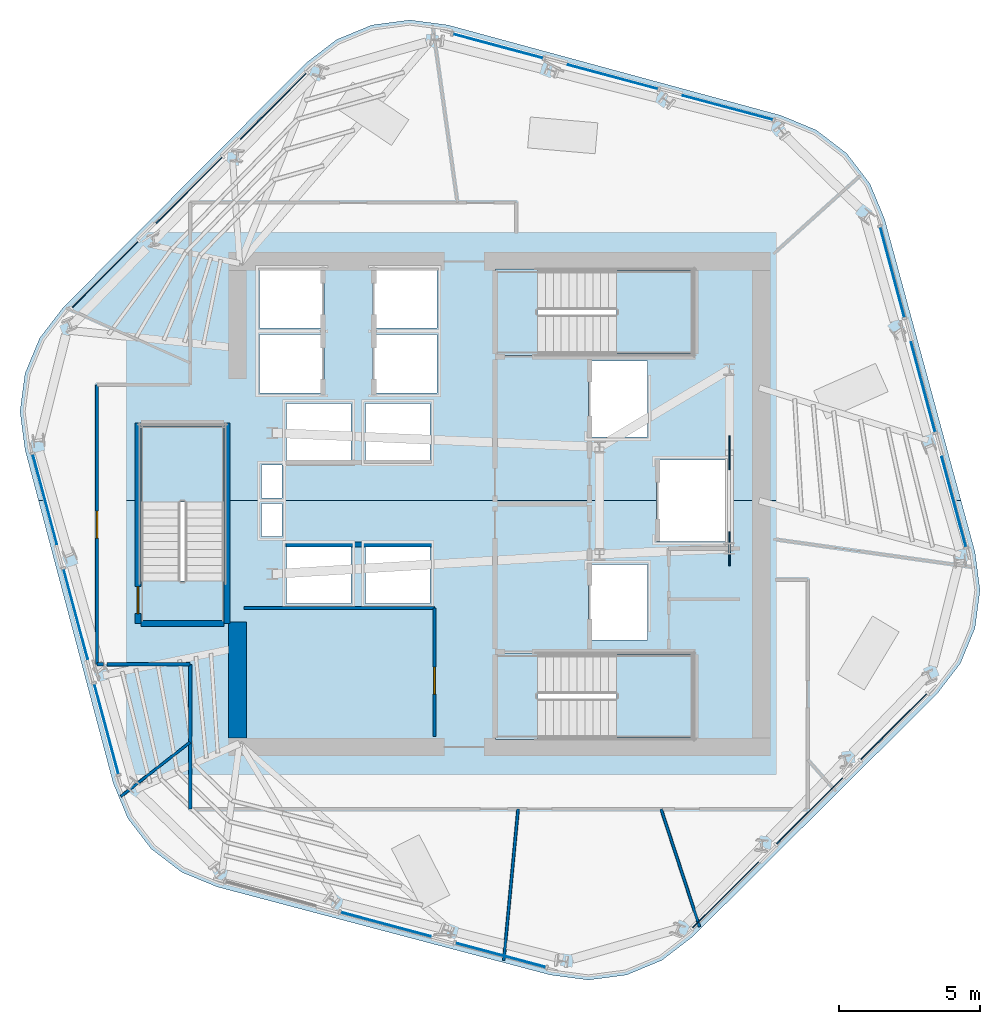
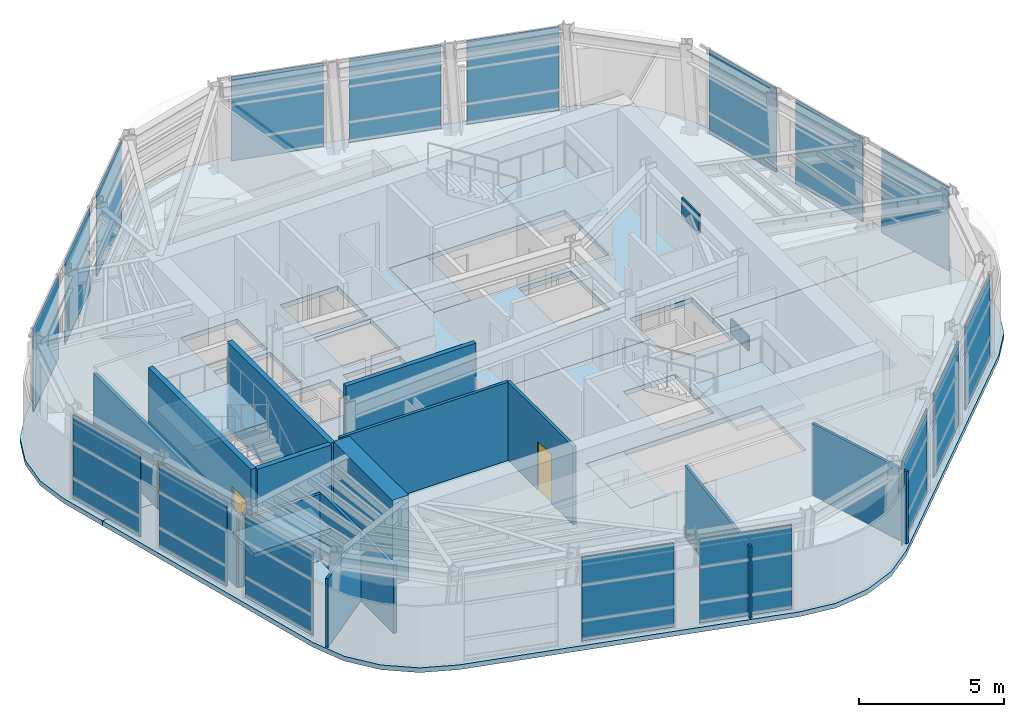
# One storey, part 6 of 13: 19 plates, 14 walls, 8 slabs, 3 doors, 3 openings, 9 elements without a shape of their own.
"""IFC4 building model written with IfcOpenShell, lengths in metres."""

from ifc_helpers import new_model, si_unit, direction, frame, frame_2d, origin, origin_2d, place, context, subcontext, project, spatial, polyline, rectangle, outline, extrude, material, layer, layer_set, type_object, element, fill, aggregate, save


model = new_model("IFC4")

# Units and contexts
model_context = context("Model", 3, precision=1e-05, world=origin(), true_north=direction((0.0, 1.0)))
body_context = subcontext(model_context, "Body", "Model", "MODEL_VIEW")
ifc_project = project(units=[si_unit("LENGTHUNIT", "METRE"), si_unit("AREAUNIT", "SQUARE_METRE"), si_unit("VOLUMEUNIT", "CUBIC_METRE"), si_unit("PLANEANGLEUNIT", "RADIAN"), si_unit("MASSUNIT", "GRAM", prefix="KILO")], contexts=[model_context])

# Site, building, storey
site_placement = place(None, origin())
site = spatial("IfcSite", under=ifc_project, at=site_placement, CompositionType="ELEMENT")
building_placement = place(site_placement, origin())
building = spatial("IfcBuilding", under=site, at=building_placement, Name="Valkerne Bourse Tower", CompositionType="ELEMENT")
storey_placement = place(building_placement, frame((0.0, 0.0, 217.0)))
storey = spatial("IfcBuildingStorey", under=building, at=storey_placement, Name="L55", CompositionType="ELEMENT", Elevation=217.0)

# Curtain wall, plates
ifc_material_1 = material(Name="Aluminium AA 6063-T6", Category="aluminium")
ifc_layer_1 = layer(ifc_material_1, 0.239990234375)
ifc_layer_set_1 = layer_set([ifc_layer_1], Name="Aluminium AA 6063-T6")
curtain_wall_type = type_object("IfcCurtainWallType", Name="CW-04", PredefinedType="NOTDEFINED", material=ifc_layer_set_1)
curtain_wall_1_placement = place(storey_placement, origin())
curtain_wall_1 = element("IfcCurtainWall", 1, at=curtain_wall_1_placement, inside=storey, type_object=curtain_wall_type, Name="L55 Hexagonal Stick Curtain Wall Face 1", PredefinedType="NOTDEFINED")
ifc_material_2 = material(Name="Glass IGU Low-E Double Glazed", Category="glass")
ifc_layer_2 = layer(ifc_material_2, 0.031982421875)
ifc_layer_set_2 = layer_set([ifc_layer_2], Name="Glass IGU Low-E Double Glazed")
plate_type_1 = type_object("IfcPlateType", Name="CW-PNL-IGU-32", PredefinedType="CURTAIN_PANEL", material=ifc_layer_set_2)
plate_1_placement = place(storey_placement, frame((54.89013671875, 40.919189453125, 0.030029296875), z_axis=(0.0, 0.0, 1.0), x_axis=(-0.965921344505, 0.25883577077, 0.0)))
plate_1 = element("IfcPlate", 2, at=plate_1_placement, type_object=plate_type_1, Name="CW-L55-F1 Curtain Panel 00", PredefinedType="CURTAIN_PANEL", context=body_context, shape_type="SweptSolid", body=[
    extrude(rectangle(XDim=3.2919921875, YDim=0.031982421875, at=origin_2d()), origin(), (0.0, 0.0, 1.0), 3.5400390625),
])
plate_2_placement = place(storey_placement, frame((50.82177734375, 42.00927734375, 0.030029296875), z_axis=(0.0, 0.0, 1.0), x_axis=(-0.965928870461, 0.258807683831, 0.0)))
plate_2 = element("IfcPlate", 3, at=plate_2_placement, type_object=plate_type_1, Name="CW-L55-F1 Curtain Panel 01", PredefinedType="CURTAIN_PANEL", context=body_context, shape_type="SweptSolid", body=[
    extrude(rectangle(XDim=3.2919921875, YDim=0.031982421875, at=origin_2d()), origin(), (0.0, 0.0, 1.0), 3.5400390625),
])
plate_3_placement = place(storey_placement, frame((46.753173828125, 43.099365234375, 0.030029296875), z_axis=(0.0, 0.0, 1.0), x_axis=(-0.96592293507, 0.258829835037, 0.0)))
plate_3 = element("IfcPlate", 4, at=plate_3_placement, type_object=plate_type_1, Name="CW-L55-F1 Curtain Panel 02", PredefinedType="CURTAIN_PANEL", context=body_context, shape_type="SweptSolid", body=[
    extrude(rectangle(XDim=3.2919921875, YDim=0.031982421875, at=origin_2d()), origin(), (0.0, 0.0, 1.0), 3.5400390625),
])
aggregate(curtain_wall_1, [plate_1, plate_2, plate_3])

curtain_wall_2_placement = place(storey_placement, origin())
curtain_wall_2 = element("IfcCurtainWall", 5, at=curtain_wall_2_placement, inside=storey, type_object=curtain_wall_type, Name="L55 Hexagonal Stick Curtain Wall Face 2", PredefinedType="NOTDEFINED")
plate_4_placement = place(storey_placement, frame((38.790771484375, 40.9658203125, 0.030029296875), z_axis=(0.0, 0.0, 1.0), x_axis=(-0.707118651865, -0.707094910308, 0.0)))
plate_4 = element("IfcPlate", 6, at=plate_4_placement, type_object=plate_type_1, Name="CW-L55-F2 Curtain Panel 00", PredefinedType="CURTAIN_PANEL", context=body_context, shape_type="SweptSolid", body=[
    extrude(rectangle(XDim=3.2919921875, YDim=0.031982421875, at=origin_2d()), origin(), (0.0, 0.0, 1.0), 3.5400390625),
])
plate_5_placement = place(storey_placement, frame((35.8125, 37.987548828125, 0.030029296875), z_axis=(0.0, 0.0, 1.0), x_axis=(-0.707106781187, -0.707106781187, 0.0)))
plate_5 = element("IfcPlate", 7, at=plate_5_placement, type_object=plate_type_1, Name="CW-L55-F2 Curtain Panel 01", PredefinedType="CURTAIN_PANEL", context=body_context, shape_type="SweptSolid", body=[
    extrude(rectangle(XDim=3.2919921875, YDim=0.031982421875, at=origin_2d()), origin(), (0.0, 0.0, 1.0), 3.5400390625),
])
plate_6_placement = place(storey_placement, frame((32.834228515625, 35.00927734375, 0.030029296875), z_axis=(0.0, 0.0, 1.0), x_axis=(-0.707094910308, -0.707118651865, 0.0)))
plate_6 = element("IfcPlate", 8, at=plate_6_placement, type_object=plate_type_1, Name="CW-L55-F2 Curtain Panel 02", PredefinedType="CURTAIN_PANEL", context=body_context, shape_type="SweptSolid", body=[
    extrude(rectangle(XDim=3.2919921875, YDim=0.031982421875, at=origin_2d()), origin(), (0.0, 0.0, 1.0), 3.5400390625),
])
aggregate(curtain_wall_2, [plate_4, plate_5, plate_6])

curtain_wall_3_placement = place(storey_placement, origin())
curtain_wall_3 = element("IfcCurtainWall", 9, at=curtain_wall_3_placement, inside=storey, type_object=curtain_wall_type, Name="L55 Hexagonal Stick Curtain Wall Face 3", PredefinedType="NOTDEFINED")
plate_7_placement = place(storey_placement, frame((30.70068359375, 27.046630859375, 0.030029296875), z_axis=(0.0, 0.0, 1.0), x_axis=(0.258829835037, -0.96592293507, 0.0)))
plate_7 = element("IfcPlate", 10, at=plate_7_placement, type_object=plate_type_1, Name="CW-L55-F3 Curtain Panel 00", PredefinedType="CURTAIN_PANEL", context=body_context, shape_type="SweptSolid", body=[
    extrude(rectangle(XDim=3.2919921875, YDim=0.031982421875, at=origin_2d()), origin(), (0.0, 0.0, 1.0), 3.5400390625),
])
plate_8_placement = place(storey_placement, frame((31.790771484375, 22.978271484375, 0.030029296875), z_axis=(0.0, 0.0, 1.0), x_axis=(0.258807683831, -0.965928870461, 0.0)))
plate_8 = element("IfcPlate", 11, at=plate_8_placement, type_object=plate_type_1, Name="CW-L55-F3 Curtain Panel 01", PredefinedType="CURTAIN_PANEL", context=body_context, shape_type="SweptSolid", body=[
    extrude(rectangle(XDim=3.2919921875, YDim=0.031982421875, at=origin_2d()), origin(), (0.0, 0.0, 1.0), 3.5400390625),
])
plate_9_placement = place(storey_placement, frame((32.880859375, 18.909912109375, 0.030029296875), z_axis=(0.0, 0.0, 1.0), x_axis=(0.25883577077, -0.965921344505, 0.0)))
plate_9 = element("IfcPlate", 12, at=plate_9_placement, type_object=plate_type_1, Name="CW-L55-F3 Curtain Panel 02", PredefinedType="CURTAIN_PANEL", context=body_context, shape_type="SweptSolid", body=[
    extrude(rectangle(XDim=3.2919921875, YDim=0.031982421875, at=origin_2d()), origin(), (0.0, 0.0, 1.0), 3.5400390625),
])
aggregate(curtain_wall_3, [plate_7, plate_8, plate_9])

curtain_wall_4_placement = place(storey_placement, origin())
curtain_wall_4 = element("IfcCurtainWall", 13, at=curtain_wall_4_placement, inside=storey, type_object=curtain_wall_type, Name="L55 Hexagonal Stick Curtain Wall Face 4", PredefinedType="NOTDEFINED")
plate_10_placement = place(storey_placement, frame((42.7783203125, 11.99072265625, 0.030029296875), z_axis=(0.0, 0.0, 1.0), x_axis=(0.965928870461, -0.258807683831, 0.0)))
plate_10 = element("IfcPlate", 14, at=plate_10_placement, type_object=plate_type_1, Name="CW-L55-F4 Curtain Panel 01", PredefinedType="CURTAIN_PANEL", context=body_context, shape_type="SweptSolid", body=[
    extrude(rectangle(XDim=3.2919921875, YDim=0.031982421875, at=origin_2d()), origin(), (0.0, 0.0, 1.0), 3.5400390625),
])
plate_11_placement = place(storey_placement, frame((46.8466796875, 10.900634765625, 0.030029296875), z_axis=(0.0, 0.0, 1.0), x_axis=(0.96592293507, -0.258829835037, 0.0)))
plate_11 = element("IfcPlate", 15, at=plate_11_placement, type_object=plate_type_1, Name="CW-L55-F4 Curtain Panel 02", PredefinedType="CURTAIN_PANEL", context=body_context, shape_type="SweptSolid", body=[
    extrude(rectangle(XDim=3.2919921875, YDim=0.031982421875, at=origin_2d()), origin(), (0.0, 0.0, 1.0), 3.5400390625),
])
aggregate(curtain_wall_4, [plate_10, plate_11])

curtain_wall_5_placement = place(storey_placement, origin())
curtain_wall_5 = element("IfcCurtainWall", 16, at=curtain_wall_5_placement, inside=storey, type_object=curtain_wall_type, Name="L55 Hexagonal Stick Curtain Wall Face 5", PredefinedType="NOTDEFINED")
plate_12_placement = place(storey_placement, frame((54.80908203125, 13.0341796875, 0.030029296875), z_axis=(0.0, 0.0, 1.0), x_axis=(0.707118651865, 0.707094910308, 0.0)))
plate_12 = element("IfcPlate", 17, at=plate_12_placement, type_object=plate_type_1, Name="CW-L55-F5 Curtain Panel 00", PredefinedType="CURTAIN_PANEL", context=body_context, shape_type="SweptSolid", body=[
    extrude(rectangle(XDim=3.2919921875, YDim=0.031982421875, at=origin_2d()), origin(), (0.0, 0.0, 1.0), 3.5400390625),
])
plate_13_placement = place(storey_placement, frame((57.78759765625, 16.012451171875, 0.030029296875), z_axis=(0.0, 0.0, 1.0), x_axis=(0.707106781187, 0.707106781187, 0.0)))
plate_13 = element("IfcPlate", 18, at=plate_13_placement, type_object=plate_type_1, Name="CW-L55-F5 Curtain Panel 01", PredefinedType="CURTAIN_PANEL", context=body_context, shape_type="SweptSolid", body=[
    extrude(rectangle(XDim=3.2919921875, YDim=0.031982421875, at=origin_2d()), origin(), (0.0, 0.0, 1.0), 3.5400390625),
])
plate_14_placement = place(storey_placement, frame((60.765869140625, 18.99072265625, 0.030029296875), z_axis=(0.0, 0.0, 1.0), x_axis=(0.707094910308, 0.707118651865, 0.0)))
plate_14 = element("IfcPlate", 19, at=plate_14_placement, type_object=plate_type_1, Name="CW-L55-F5 Curtain Panel 02", PredefinedType="CURTAIN_PANEL", context=body_context, shape_type="SweptSolid", body=[
    extrude(rectangle(XDim=3.2919921875, YDim=0.031982421875, at=origin_2d()), origin(), (0.0, 0.0, 1.0), 3.5400390625),
])
aggregate(curtain_wall_5, [plate_12, plate_13, plate_14])

curtain_wall_6_placement = place(storey_placement, origin())
curtain_wall_6 = element("IfcCurtainWall", 20, at=curtain_wall_6_placement, inside=storey, type_object=curtain_wall_type, Name="L55 Hexagonal Stick Curtain Wall Face 6", PredefinedType="NOTDEFINED")
plate_15_placement = place(storey_placement, frame((62.8994140625, 26.953369140625, 0.030029296875), z_axis=(0.0, 0.0, 1.0), x_axis=(-0.258829835037, 0.96592293507, 0.0)))
plate_15 = element("IfcPlate", 21, at=plate_15_placement, type_object=plate_type_1, Name="CW-L55-F6 Curtain Panel 00", PredefinedType="CURTAIN_PANEL", context=body_context, shape_type="SweptSolid", body=[
    extrude(rectangle(XDim=3.2919921875, YDim=0.031982421875, at=origin_2d()), origin(), (0.0, 0.0, 1.0), 3.5400390625),
])
plate_16_placement = place(storey_placement, frame((61.809326171875, 31.021728515625, 0.030029296875), z_axis=(0.0, 0.0, 1.0), x_axis=(-0.258807683831, 0.965928870461, 0.0)))
plate_16 = element("IfcPlate", 22, at=plate_16_placement, type_object=plate_type_1, Name="CW-L55-F6 Curtain Panel 01", PredefinedType="CURTAIN_PANEL", context=body_context, shape_type="SweptSolid", body=[
    extrude(rectangle(XDim=3.2919921875, YDim=0.031982421875, at=origin_2d()), origin(), (0.0, 0.0, 1.0), 3.5400390625),
])
plate_17_placement = place(storey_placement, frame((60.718994140625, 35.090087890625, 0.030029296875), z_axis=(0.0, 0.0, 1.0), x_axis=(-0.25883577077, 0.965921344505, 0.0)))
plate_17 = element("IfcPlate", 23, at=plate_17_placement, type_object=plate_type_1, Name="CW-L55-F6 Curtain Panel 02", PredefinedType="CURTAIN_PANEL", context=body_context, shape_type="SweptSolid", body=[
    extrude(rectangle(XDim=3.2919921875, YDim=0.031982421875, at=origin_2d()), origin(), (0.0, 0.0, 1.0), 3.5400390625),
])
aggregate(curtain_wall_6, [plate_15, plate_16, plate_17])

# Plates
ifc_material_3 = material(Name="Steel ASTM A572 Grade 50", Category="steel")
ifc_layer_3 = layer(ifc_material_3, 0.06005859375)
ifc_layer_set_3 = layer_set([ifc_layer_3], Name="Steel ASTM A572 Grade 50")
plate_type_2 = type_object("IfcPlateType", Name="PLT-GUS-60", PredefinedType="SHEET", material=ifc_layer_set_3)
for number, where, z_axis, x_axis, name in (
    (24, (54.949951171875, 25.300048828125, -0.18017578125), (0.0, 0.0, 1.0), (0.0, 1.0, 0.0), "L55 Brace Node Gusset Plate PLT-GUS-END-L55-426"),
    (25, (54.949951171875, 28.699951171875, 2.89404296875), (0.0, 0.0, 1.0), (0.0, 1.0, 0.0), "L55 Brace Node Gusset Plate PLT-GUS-END-L55-427"),
):
    element("IfcPlate", number, at=place(storey_placement, frame(where, z_axis=z_axis, x_axis=x_axis)), inside=storey, type_object=plate_type_2, Name=name, PredefinedType="SHEET", context=body_context, shape_type="SweptSolid", body=[
        extrude(rectangle(XDim=1.199951171875, YDim=0.06005859375, at=origin_2d()), origin(), (0.0, 0.0, 1.0), 0.800048828125),
    ])

# Slabs
ifc_material_4 = material(Name="Concrete C40/50", Category="concrete")
ifc_layer_4 = layer(ifc_material_4, 0.25)
ifc_layer_set_4 = layer_set([ifc_layer_4], Name="Concrete C40/50")
slab_type_1 = type_object("IfcSlabType", Name="SLB-RMP-LND-250", PredefinedType="LANDING", material=ifc_layer_set_4)
slab_1_placement = place(storey_placement, frame((0.0, 0.0, -0.199951171875)))
element("IfcSlab", 26, at=slab_1_placement, inside=storey, type_object=slab_type_1, Name="L55 ST-1 Floor Landing Slab", PredefinedType="LANDING", context=body_context, shape_type="SweptSolid", body=[
    extrude(outline(polyline([(46.669921875, 18.5400390625), (48.14990234375, 18.5400390625), (48.14990234375, 21.610107421875), (46.669921875, 21.610107421875), (46.669921875, 18.5400390625)])), origin(), (0.0, 0.0, 1.0), 0.199951171875),
])
slab_2_placement = place(storey_placement, frame((0.0, 0.0, -0.199951171875)))
element("IfcSlab", 27, at=slab_2_placement, inside=storey, type_object=slab_type_1, Name="L55 ST-2 Floor Landing Slab", PredefinedType="LANDING", context=body_context, shape_type="SweptSolid", body=[
    extrude(outline(polyline([(46.669921875, 32.139892578125), (48.14990234375, 32.139892578125), (48.14990234375, 35.2099609375), (46.669921875, 35.2099609375), (46.669921875, 32.139892578125)])), origin(), (0.0, 0.0, 1.0), 0.199951171875),
])
slab_3_placement = place(storey_placement, frame((0.0, 0.0, -0.199951171875)))
element("IfcSlab", 28, at=slab_3_placement, inside=storey, type_object=slab_type_1, Name="L55 ST-3 Floor Landing Slab", PredefinedType="LANDING", context=body_context, shape_type="SweptSolid", body=[
    extrude(outline(polyline([(37.110107421875, 22.669921875), (37.110107421875, 24.14990234375), (34.0400390625, 24.14990234375), (34.0400390625, 22.669921875), (37.110107421875, 22.669921875)])), origin(), (0.0, 0.0, 1.0), 0.199951171875),
])

# Stair, slab
stair_type = type_object("IfcStairType", Name="ST-CORE-1400", PredefinedType="HALF_TURN_STAIR", material=ifc_material_4)
stair_1_placement = place(storey_placement, origin())
stair_1 = element("IfcStair", 29, at=stair_1_placement, inside=storey, type_object=stair_type, Name="L55 ST-1", PredefinedType="HALF_TURN_STAIR")
ifc_layer_5 = layer(ifc_material_4, 0.179931640625)
ifc_layer_set_5 = layer_set([ifc_layer_5], Name="Concrete C40/50")
slab_type_2 = type_object("IfcSlabType", Name="SLB-ST-LND-180", PredefinedType="LANDING", material=ifc_layer_set_5)
slab_4_placement = place(storey_placement, frame((0.0, 0.0, 1.699951171875)))
slab_4 = element("IfcSlab", 30, at=slab_4_placement, type_object=slab_type_2, Name="ST-1 landing 1", PredefinedType="LANDING", context=body_context, shape_type="SweptSolid", body=[
    extrude(outline(polyline([(50.949951171875, 18.60009765625), (53.64990234375, 18.60009765625), (53.64990234375, 21.550048828125), (50.949951171875, 21.550048828125), (50.949951171875, 18.60009765625)])), origin(), (0.0, 0.0, 1.0), 0.199951171875),
])
aggregate(stair_1, [slab_4])

stair_2_placement = place(storey_placement, origin())
stair_2 = element("IfcStair", 31, at=stair_2_placement, inside=storey, type_object=stair_type, Name="L55 ST-2", PredefinedType="HALF_TURN_STAIR")
slab_5_placement = place(storey_placement, frame((0.0, 0.0, 1.699951171875)))
slab_5 = element("IfcSlab", 32, at=slab_5_placement, type_object=slab_type_2, Name="ST-2 landing 1", PredefinedType="LANDING", context=body_context, shape_type="SweptSolid", body=[
    extrude(outline(polyline([(50.949951171875, 32.199951171875), (53.64990234375, 32.199951171875), (53.64990234375, 35.14990234375), (50.949951171875, 35.14990234375), (50.949951171875, 32.199951171875)])), origin(), (0.0, 0.0, 1.0), 0.199951171875),
])
aggregate(stair_2, [slab_5])

stair_3_placement = place(storey_placement, origin())
stair_3 = element("IfcStair", 33, at=stair_3_placement, inside=storey, type_object=stair_type, Name="L55 ST-3", PredefinedType="HALF_TURN_STAIR")
slab_6_placement = place(storey_placement, frame((0.0, 0.0, 1.699951171875)))
slab_6 = element("IfcSlab", 34, at=slab_6_placement, type_object=slab_type_2, Name="ST-3 landing 1", PredefinedType="LANDING", context=body_context, shape_type="SweptSolid", body=[
    extrude(outline(polyline([(37.050048828125, 26.949951171875), (37.050048828125, 29.64990234375), (34.10009765625, 29.64990234375), (34.10009765625, 26.949951171875), (37.050048828125, 26.949951171875)])), origin(), (0.0, 0.0, 1.0), 0.199951171875),
])
aggregate(stair_3, [slab_6])

# Slabs
ifc_layer_6 = layer(ifc_material_4, 0.199951171875)
ifc_layer_set_6 = layer_set([ifc_layer_6], Name="Concrete C40/50")
slab_type_3 = type_object("IfcSlabType", Name="SLB-TOW-200", PredefinedType="FLOOR", material=ifc_layer_set_6)
slab_7_placement = place(storey_placement, frame((0.0, 0.0, -0.199951171875)))
element("IfcSlab", 35, at=slab_7_placement, inside=storey, type_object=slab_type_3, Name="L55 Hexagonal Composite Floor Slab S", PredefinedType="FLOOR", context=body_context, shape_type="SweptSolid", body=[
    extrude(outline(polyline([(63.8251953125, 23.83154296875), (63.64794921875, 22.485595703125), (63.12841796875, 21.2314453125), (62.302001953125, 20.154541015625), (53.63330078125, 11.54296875), (52.556396484375, 10.716796875), (51.30224609375, 10.197265625), (49.956298828125, 10.02001953125), (48.610595703125, 10.197265625), (36.797607421875, 13.320556640625), (35.54345703125, 13.840087890625), (34.466552734375, 14.66650390625), (33.64013671875, 15.743408203125), (33.12060546875, 16.99755859375), (30.475830078125, 27.0), (34.034912109375, 27.0), (34.034912109375, 22.6650390625), (37.114990234375, 22.6650390625), (37.114990234375, 27.0), (52.360107421875, 27.0), (52.360107421875, 25.56005859375), (54.840087890625, 25.56005859375), (54.840087890625, 27.0), (63.153076171875, 27.0), (63.64794921875, 25.17724609375), (63.8251953125, 23.83154296875)]), holes=[polyline([(41.5400390625, 25.43994140625), (39.260009765625, 25.43994140625), (39.260009765625, 23.360107421875), (41.5400390625, 23.360107421875), (41.5400390625, 25.43994140625)]), polyline([(44.340087890625, 25.43994140625), (42.06005859375, 25.43994140625), (42.06005859375, 23.360107421875), (44.340087890625, 23.360107421875), (44.340087890625, 25.43994140625)]), polyline([(39.10009765625, 26.89990234375), (38.3798828125, 26.89990234375), (38.3798828125, 25.72998046875), (39.10009765625, 25.72998046875), (39.10009765625, 26.89990234375)]), polyline([(53.675048828125, 21.614990234375), (46.6650390625, 21.614990234375), (46.6650390625, 18.534912109375), (53.675048828125, 18.534912109375), (53.675048828125, 21.614990234375)]), polyline([(52.0400390625, 24.739990234375), (49.9599609375, 24.739990234375), (49.9599609375, 22.06005859375), (52.0400390625, 22.06005859375), (52.0400390625, 24.739990234375)])]), origin(), (0.0, 0.0, 1.0), 0.199951171875),
])
slab_8_placement = place(storey_placement, frame((0.0, 0.0, -0.199951171875)))
element("IfcSlab", 36, at=slab_8_placement, inside=storey, type_object=slab_type_3, Name="L55 Hexagonal Composite Floor Slab N", PredefinedType="FLOOR", context=body_context, shape_type="SweptSolid", body=[
    extrude(outline(polyline([(29.997314453125, 28.810546875), (29.820068359375, 30.156494140625), (29.997314453125, 31.502197265625), (30.5166015625, 32.75634765625), (31.343017578125, 33.83349609375), (39.95458984375, 42.502197265625), (41.031494140625, 43.328369140625), (42.28564453125, 43.847900390625), (43.631591796875, 44.025146484375), (44.977294921875, 43.847900390625), (56.769287109375, 40.646484375), (58.023681640625, 40.126953125), (59.1005859375, 39.300537109375), (59.927001953125, 38.2236328125), (60.4462890625, 36.969482421875), (63.153076171875, 27.0), (54.840087890625, 27.0), (54.840087890625, 28.43994140625), (52.360107421875, 28.43994140625), (52.360107421875, 27.0), (37.114990234375, 27.0), (37.114990234375, 29.675048828125), (34.034912109375, 29.675048828125), (34.034912109375, 27.0), (30.475830078125, 27.0), (29.997314453125, 28.810546875)]), holes=[polyline([(39.10009765625, 28.27001953125), (38.3798828125, 28.27001953125), (38.3798828125, 27.10009765625), (39.10009765625, 27.10009765625), (39.10009765625, 28.27001953125)]), polyline([(41.5400390625, 30.43994140625), (39.260009765625, 30.43994140625), (39.260009765625, 28.360107421875), (41.5400390625, 28.360107421875), (41.5400390625, 30.43994140625)]), polyline([(40.590087890625, 32.889892578125), (38.31005859375, 32.889892578125), (38.31005859375, 30.81005859375), (40.590087890625, 30.81005859375), (40.590087890625, 32.889892578125)]), polyline([(40.590087890625, 35.18994140625), (38.31005859375, 35.18994140625), (38.31005859375, 33.110107421875), (40.590087890625, 33.110107421875), (40.590087890625, 35.18994140625)]), polyline([(44.340087890625, 30.43994140625), (42.06005859375, 30.43994140625), (42.06005859375, 28.360107421875), (44.340087890625, 28.360107421875), (44.340087890625, 30.43994140625)]), polyline([(52.0400390625, 31.93994140625), (49.9599609375, 31.93994140625), (49.9599609375, 29.260009765625), (52.0400390625, 29.260009765625), (52.0400390625, 31.93994140625)]), polyline([(44.590087890625, 32.889892578125), (42.31005859375, 32.889892578125), (42.31005859375, 30.81005859375), (44.590087890625, 30.81005859375), (44.590087890625, 32.889892578125)]), polyline([(53.675048828125, 35.215087890625), (46.6650390625, 35.215087890625), (46.6650390625, 32.135009765625), (53.675048828125, 32.135009765625), (53.675048828125, 35.215087890625)]), polyline([(44.590087890625, 35.18994140625), (42.31005859375, 35.18994140625), (42.31005859375, 33.110107421875), (44.590087890625, 33.110107421875), (44.590087890625, 35.18994140625)])]), origin(), (0.0, 0.0, 1.0), 0.199951171875),
])

# Wall
ifc_material_5 = material(Name="Concrete C55/67", Category="concrete")
ifc_layer_7 = layer(ifc_material_5, 0.64990234375)
ifc_layer_set_7 = layer_set([ifc_layer_7], Name="Concrete C55/67")
wall_type_1 = type_object("IfcWallType", Name="W-CORE-650", PredefinedType="SHEAR", material=ifc_layer_set_7)
wall_1_placement = place(storey_placement, frame((37.52490234375, 18.60009765625, 0.0), z_axis=(0.0, 0.0, 1.0), x_axis=(0.0, 1.0, 0.0)))
element("IfcWall", 37, at=wall_1_placement, inside=storey, type_object=wall_type_1, Name="L55 Core Shear Wall WEST-S", PredefinedType="SHEAR", context=body_context, shape_type="SweptSolid", body=[
    extrude(rectangle(XDim=4.099853515625, YDim=0.64990234375, at=frame_2d((2.0498046875, 0.0))), origin(), (0.0, 0.0, 1.0), 3.60009765625),
])

# Wall, opening, door
ifc_material_6 = material(Name="Gypsum Board Steel-Stud Partition", Category="steel")
ifc_layer_8 = layer(ifc_material_6, 0.117919921875)
ifc_layer_set_8 = layer_set([ifc_layer_8], Name="Gypsum Board Steel-Stud Partition")
wall_type_2 = type_object("IfcWallType", Name="W-CORR-140", PredefinedType="PARTITIONING", material=ifc_layer_set_8)
wall_2_placement = place(storey_placement, frame((44.5, 18.64990234375, 0.0), z_axis=(0.0, 0.0, 1.0), x_axis=(0.0, 1.0, 0.0)))
wall_2 = element("IfcWall", 38, at=wall_2_placement, inside=storey, type_object=wall_type_2, Name="L55 LV7 Low-Bank East Wall", PredefinedType="PARTITIONING", context=body_context, shape_type="SweptSolid", body=[
    extrude(rectangle(XDim=4.550048828125, YDim=0.117919921875, at=frame_2d((2.27490234375, 0.0))), origin(), (0.0, 0.0, 1.0), 3.300048828125),
])
opening_1_placement = place(wall_2_placement, frame((1.5, 0.0, 0.0)))
opening_1 = element("IfcOpeningElement", 39, at=opening_1_placement, cuts=wall_2, Name="Opening D-SV-950", PredefinedType="OPENING", context=body_context, shape_type="SweptSolid", body=[
    extrude(rectangle(XDim=0.949951171875, YDim=2.050048828125, at=frame_2d((0.47509765625, 1.02490234375))), frame((0.0, 0.06884765625, 0.0), z_axis=(0.0, -1.0, 0.0), x_axis=(1.0, 0.0, 0.0)), (0.0, 0.0, 1.0), 0.137939453125),
])
ifc_material_7 = material(Name="Galvanised Painted Steel", Category="steel")
door_type_1 = type_object("IfcDoorType", Name="DR-SRV-950", OperationType="NOTDEFINED", PredefinedType="DOOR", material=ifc_material_7)
door_1_placement = place(opening_1_placement, origin())
door_1 = element("IfcDoor", 40, at=door_1_placement, inside=storey, type_object=door_type_1, Name="L55 Algorithmic Matching Office Door", OperationType="SINGLE_SWING_RIGHT", OverallHeight=2.050048828125, OverallWidth=0.949951171875, PredefinedType="DOOR", context=body_context, shape_type="SweptSolid", body=[
    extrude(rectangle(XDim=0.949951171875, YDim=2.050048828125, at=frame_2d((0.47509765625, 1.02490234375))), frame((0.0, 0.02490234375, 0.0), z_axis=(0.0, -1.0, 0.0), x_axis=(1.0, 0.0, 0.0)), (0.0, 0.0, 1.0), 0.050048828125),
])
fill(opening_1, door_1)

# Walls
wall_3_placement = place(storey_placement, frame((37.75, 23.199951171875, 0.0), z_axis=(0.0, 0.0, 1.0), x_axis=(1.0, 0.0, 0.0)))
element("IfcWall", 41, at=wall_3_placement, inside=storey, type_object=wall_type_2, Name="L55 LV7 Low-Bank North Wall", PredefinedType="PARTITIONING", context=body_context, shape_type="SweptSolid", body=[
    extrude(rectangle(XDim=6.75, YDim=0.117919921875, at=frame_2d((3.375, 0.0))), origin(), (0.0, 0.0, 1.0), 3.300048828125),
])
wall_4_placement = place(storey_placement, frame((35.85009765625, 16.080078125, 0.0), z_axis=(0.0, 0.0, 1.0), x_axis=(0.0, 1.0, 0.0)))
element("IfcWall", 42, at=wall_4_placement, inside=storey, type_object=wall_type_2, Name="L55 Corridor Enclosure Wall", PredefinedType="PARTITIONING", context=body_context, shape_type="SweptSolid", body=[
    extrude(rectangle(XDim=5.119873046875, YDim=0.117919921875, at=frame_2d((2.56005859375, 0.0))), origin(), (0.0, 0.0, 1.0), 2.896484375),
])
wall_5_placement = place(storey_placement, frame((35.85009765625, 21.199951171875, 0.0), z_axis=(0.0, 0.0, 1.0), x_axis=(-1.0, 0.0, 0.0)))
element("IfcWall", 43, at=wall_5_placement, inside=storey, type_object=wall_type_2, Name="L55 Corridor Enclosure Wall", PredefinedType="PARTITIONING", context=body_context, shape_type="SweptSolid", body=[
    extrude(rectangle(XDim=2.954833984375, YDim=0.117919921875, at=frame_2d((1.4775390625, 0.0))), origin(), (0.0, 0.0, 1.0), 2.8203125),
])
wall_6_placement = place(storey_placement, frame((32.7783203125, 21.199951171875, 0.0), z_axis=(0.0, 0.0, 1.0), x_axis=(-1.0, 0.0, 0.0)))
element("IfcWall", 44, at=wall_6_placement, inside=storey, type_object=wall_type_2, Name="L55 Corridor Enclosure Wall", PredefinedType="PARTITIONING", context=body_context, shape_type="SweptSolid", body=[
    extrude(rectangle(XDim=0.228271484375, YDim=0.117919921875, at=frame_2d((0.1142578125, 0.0))), origin(), (0.0, 0.0, 1.0), 3.036376953125),
])

# Wall, opening, door
wall_7_placement = place(storey_placement, frame((32.550048828125, 21.199951171875, 0.0), z_axis=(0.0, 0.0, 1.0), x_axis=(0.0, 1.0, 0.0)))
wall_7 = element("IfcWall", 45, at=wall_7_placement, inside=storey, type_object=wall_type_2, Name="L55 Corridor Enclosure Wall", PredefinedType="PARTITIONING", context=body_context, shape_type="SweptSolid", body=[
    extrude(rectangle(XDim=9.900146484375, YDim=0.117919921875, at=frame_2d((4.9501953125, 0.0))), origin(), (0.0, 0.0, 1.0), 3.036376953125),
])
opening_2_placement = place(wall_7_placement, frame((4.47509765625, 0.0, 0.0)))
opening_2 = element("IfcOpeningElement", 46, at=opening_2_placement, cuts=wall_7, Name="Opening D-OF-950", PredefinedType="OPENING", context=body_context, shape_type="SweptSolid", body=[
    extrude(rectangle(XDim=0.949951171875, YDim=2.10009765625, at=frame_2d((0.47509765625, 1.050048828125))), frame((0.0, 0.06884765625, 0.0), z_axis=(0.0, -1.0, 0.0), x_axis=(1.0, 0.0, 0.0)), (0.0, 0.0, 1.0), 0.137939453125),
])
ifc_material_8 = material(Name="Architectural White Oak Timber", Category="wood")
door_type_2 = type_object("IfcDoorType", Name="DR-OFF-950", OperationType="NOTDEFINED", PredefinedType="DOOR", material=ifc_material_8)
door_2_placement = place(opening_2_placement, origin())
door_2 = element("IfcDoor", 47, at=door_2_placement, inside=storey, type_object=door_type_2, Name="L55 L55 Executive Economics Study Room 4 Door", OperationType="SINGLE_SWING_LEFT", OverallHeight=2.10009765625, OverallWidth=0.949951171875, PredefinedType="DOOR", context=body_context, shape_type="SweptSolid", body=[
    extrude(rectangle(XDim=0.949951171875, YDim=2.10009765625, at=frame_2d((0.47509765625, 1.050048828125))), frame((0.0, 0.02490234375, 0.0), z_axis=(0.0, -1.0, 0.0), x_axis=(1.0, 0.0, 0.0)), (0.0, 0.0, 1.0), 0.050048828125),
])
fill(opening_2, door_2)

# Walls
ifc_material_9 = material(Name="CMU Blockwork Masonry 200mm", Category="masonry")
ifc_layer_9 = layer(ifc_material_9, 0.179931640625)
ifc_layer_set_9 = layer_set([ifc_layer_9], Name="CMU Blockwork Masonry 200mm")
wall_type_3 = type_object("IfcWallType", Name="W-LFT-180", PredefinedType="SOLIDWALL", material=ifc_layer_set_9)
wall_8_placement = place(storey_placement, frame((39.25, 25.449951171875, 0.0), z_axis=(0.0, 0.0, 1.0), x_axis=(1.0, 0.0, 0.0)))
element("IfcWall", 48, at=wall_8_placement, inside=storey, type_object=wall_type_3, Name="L55 High-Zone South Cars Front Wall", PredefinedType="SOLIDWALL", context=body_context, shape_type="SweptSolid", body=[
    extrude(rectangle(XDim=5.199951171875, YDim=0.179931640625, at=frame_2d((2.60009765625, 0.0))), origin(), (0.0, 0.0, 1.0), 3.60009765625),
])
ifc_layer_10 = layer(ifc_material_6, 0.092041015625)
ifc_layer_set_10 = layer_set([ifc_layer_10], Name="Gypsum Board Steel-Stud Partition")
wall_type_4 = type_object("IfcWallType", Name="W-PART-115", PredefinedType="PARTITIONING", material=ifc_layer_set_10)
wall_9_placement = place(storey_placement, frame((47.46337890625, 16.074951171875, 0.0), z_axis=(0.0, 0.0, 1.0), x_axis=(-0.094135984246, -0.995559348542, 0.0)))
element("IfcWall", 49, at=wall_9_placement, inside=storey, type_object=wall_type_4, Name="L55 Suite Partition P01", PredefinedType="PARTITIONING", context=body_context, shape_type="SweptSolid", body=[
    extrude(rectangle(XDim=5.391845703125, YDim=0.092041015625, at=frame_2d((2.69580078125, 0.0))), origin(), (0.0, 0.0, 1.0), 3.036376953125),
])
wall_10_placement = place(storey_placement, frame((52.530517578125, 16.074951171875, 0.0), z_axis=(0.0, 0.0, 1.0), x_axis=(0.310634528704, -0.950529425939, 0.0)))
element("IfcWall", 50, at=wall_10_placement, inside=storey, type_object=wall_type_4, Name="L55 Suite Partition P02", PredefinedType="PARTITIONING", context=body_context, shape_type="SweptSolid", body=[
    extrude(rectangle(XDim=4.39111328125, YDim=0.092041015625, at=frame_2d((2.195556640625, 0.0))), origin(), (0.0, 0.0, 1.0), 3.036376953125),
])
wall_11_placement = place(storey_placement, frame((35.844970703125, 18.44091796875, 0.0), z_axis=(0.0, 0.0, 1.0), x_axis=(-0.788032697521, -0.615633387364, 0.0)))
element("IfcWall", 51, at=wall_11_placement, inside=storey, type_object=wall_type_4, Name="L55 Suite Partition P08", PredefinedType="PARTITIONING", context=body_context, shape_type="SweptSolid", body=[
    extrude(rectangle(XDim=3.112548828125, YDim=0.092041015625, at=frame_2d((1.55615234375, 0.0))), origin(), (0.0, 0.0, 1.0), 2.896484375),
])

# Wall, opening, door
ifc_layer_11 = layer(ifc_material_4, 0.199951171875)
ifc_layer_set_11 = layer_set([ifc_layer_11], Name="Concrete C40/50")
wall_type_5 = type_object("IfcWallType", Name="W-SHF-200", PredefinedType="SHEAR", material=ifc_layer_set_11)
wall_12_placement = place(storey_placement, frame((34.0, 22.64990234375, 0.0), z_axis=(0.0, 0.0, 1.0), x_axis=(0.0, 1.0, 0.0)))
wall_12 = element("IfcWall", 52, at=wall_12_placement, inside=storey, type_object=wall_type_5, Name="L55 Exit Stair ST-3 Structural Shaft Wall West", PredefinedType="SHEAR", context=body_context, shape_type="SweptSolid", body=[
    extrude(rectangle(XDim=7.10009765625, YDim=0.199951171875, at=frame_2d((3.550048828125, 0.0))), origin(), (0.0, 0.0, 1.0), 3.60009765625),
])
opening_3_placement = place(wall_12_placement, frame((0.35009765625, 0.0, 0.0)))
opening_3 = element("IfcOpeningElement", 53, at=opening_3_placement, cuts=wall_12, Name="Opening D-ST-950", PredefinedType="OPENING", context=body_context, shape_type="SweptSolid", body=[
    extrude(rectangle(XDim=0.949951171875, YDim=2.10009765625, at=frame_2d((0.47509765625, 1.050048828125))), frame((0.0, 0.10986328125, 0.0), z_axis=(0.0, -1.0, 0.0), x_axis=(1.0, 0.0, 0.0)), (0.0, 0.0, 1.0), 0.219970703125),
])
door_type_3 = type_object("IfcDoorType", Name="DR-STAIR-950", OperationType="NOTDEFINED", PredefinedType="DOOR", material=ifc_material_7)
door_3_placement = place(opening_3_placement, origin())
door_3 = element("IfcDoor", 54, at=door_3_placement, inside=storey, type_object=door_type_3, Name="L55 Exit Stair ST-3 Door", OperationType="SINGLE_SWING_LEFT", OverallHeight=2.10009765625, OverallWidth=0.949951171875, PredefinedType="DOOR", context=body_context, shape_type="SweptSolid", body=[
    extrude(rectangle(XDim=0.949951171875, YDim=2.10009765625, at=frame_2d((0.47509765625, 1.050048828125))), frame((0.0, 0.02490234375, 0.0), z_axis=(0.0, -1.0, 0.0), x_axis=(1.0, 0.0, 0.0)), (0.0, 0.0, 1.0), 0.050048828125),
])
fill(opening_3, door_3)

# Walls
wall_13_placement = place(storey_placement, frame((34.10009765625, 22.64990234375, 0.0), z_axis=(0.0, 0.0, 1.0), x_axis=(1.0, 0.0, 0.0)))
element("IfcWall", 55, at=wall_13_placement, inside=storey, type_object=wall_type_5, Name="L55 Exit Stair ST-3 Structural Shaft Wall South", PredefinedType="SHEAR", context=body_context, shape_type="SweptSolid", body=[
    extrude(rectangle(XDim=2.949951171875, YDim=0.199951171875, at=frame_2d((1.47509765625, 0.0))), origin(), (0.0, 0.0, 1.0), 3.60009765625),
])
wall_14_placement = place(storey_placement, frame((37.14990234375, 22.64990234375, 0.0), z_axis=(0.0, 0.0, 1.0), x_axis=(0.0, 1.0, 0.0)))
element("IfcWall", 56, at=wall_14_placement, inside=storey, type_object=wall_type_5, Name="L55 Exit Stair ST-3 Structural Shaft Wall East", PredefinedType="SHEAR", context=body_context, shape_type="SweptSolid", body=[
    extrude(rectangle(XDim=7.10009765625, YDim=0.199951171875, at=frame_2d((3.550048828125, 0.0))), origin(), (0.0, 0.0, 1.0), 3.60009765625),
])

save(model, "model.ifc")
